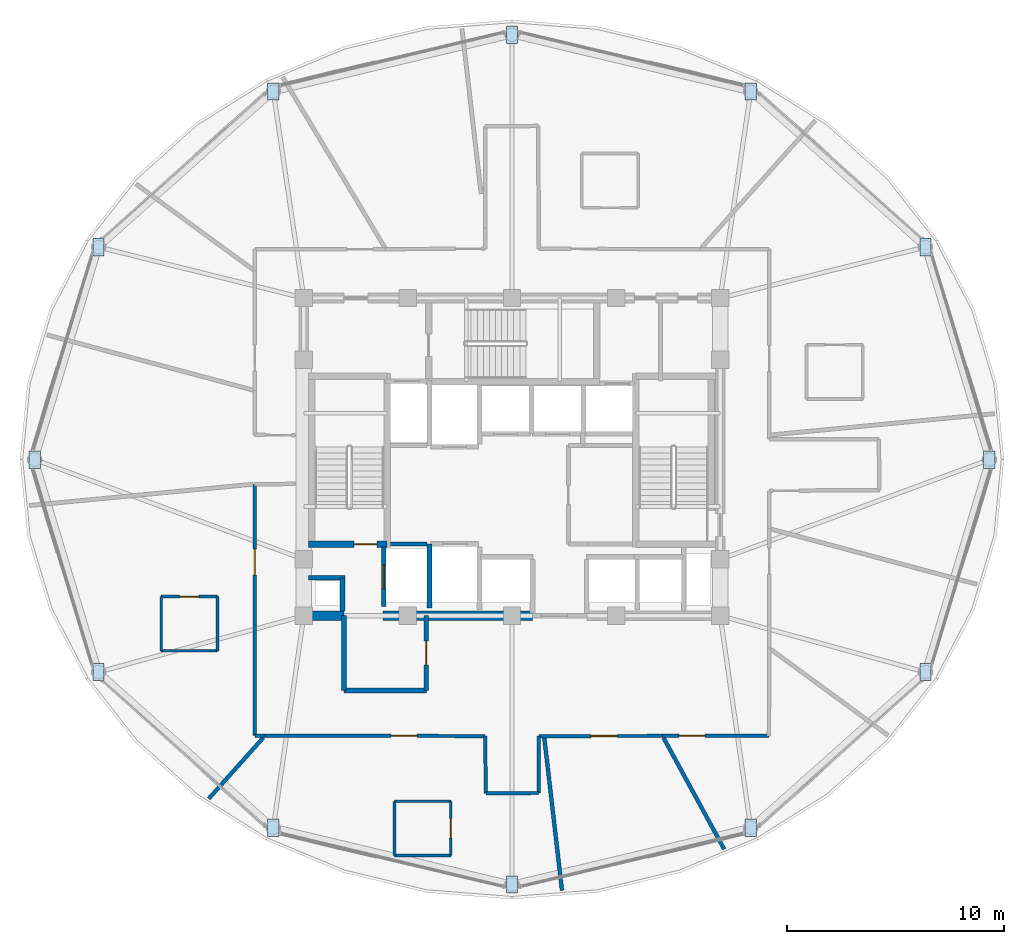
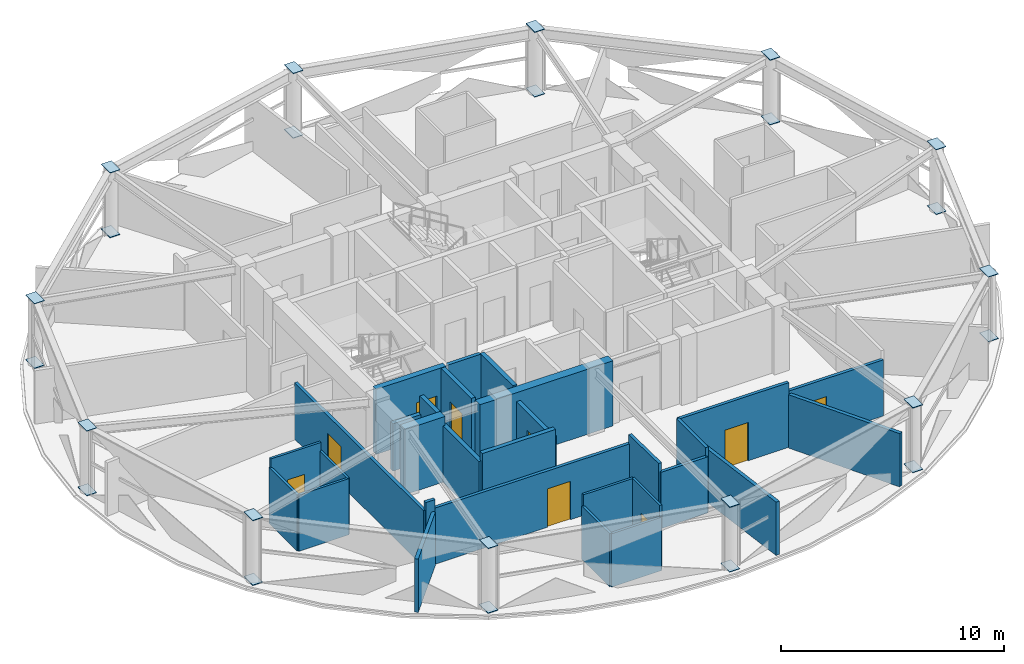
# One storey, part 21 of 28: 30 walls, 24 plates, 9 doors, 9 openings.
"""IFC4 building model written with IfcOpenShell, lengths in metres."""

from ifc_helpers import new_model, si_unit, direction, frame, frame_2d, origin, place, context, subcontext, project, spatial, polyline, rectangle, outline, extrude, material, layer, layer_set, type_object, element, fill, save


model = new_model("IFC4")

# Units and contexts
model_context = context("Model", 3, precision=1e-05, world=origin(), true_north=direction((0.0, 1.0)))
body_context = subcontext(model_context, "Body", "Model", "MODEL_VIEW")
ifc_project = project(units=[si_unit("LENGTHUNIT", "METRE"), si_unit("AREAUNIT", "SQUARE_METRE"), si_unit("VOLUMEUNIT", "CUBIC_METRE"), si_unit("PLANEANGLEUNIT", "RADIAN"), si_unit("MASSUNIT", "GRAM", prefix="KILO")], contexts=[model_context])

# Site, building, storey
site_placement = place(None, origin())
site = spatial("IfcSite", under=ifc_project, at=site_placement, CompositionType="ELEMENT")
building_placement = place(site_placement, origin())
building = spatial("IfcBuilding", under=site, at=building_placement, Name="Vantalir Tower", CompositionType="ELEMENT")
storey_placement = place(building_placement, frame((0.0, 0.0, 223.64990234375)))
storey = spatial("IfcBuildingStorey", under=building, at=storey_placement, Name="L56", CompositionType="ELEMENT", Elevation=223.64990234375)

# Plates
ifc_material_1 = material(Name="Steel S460", Category="steel")
ifc_layer_1 = layer(ifc_material_1, 0.031982421875)
ifc_layer_set_1 = layer_set([ifc_layer_1], Name="Steel S460")
plate_type = type_object("IfcPlateType", Name="PLT-KN-Z3", PredefinedType="USERDEFINED", material=ifc_layer_set_1)
for number, where, z_axis, x_axis, name in (
    (1, (53.2529296875, 25.39990234375, 3.593994140625), (0.0, 0.0, 1.0), (0.0, -1.0, 0.0), "L56 Ring Column Top Cap RC01"),
    (2, (53.2529296875, 25.39990234375, 0.052978515625), (0.0, 0.0, 1.0), (0.0, -1.0, 0.0), "L56 Ring Column Base Cap RC01"),
):
    element("IfcPlate", number, at=place(storey_placement, frame(where, z_axis=z_axis, x_axis=x_axis)), inside=storey, type_object=plate_type, Name=name, ObjectType="FLANGE_PLATE", PredefinedType="USERDEFINED", context=body_context, shape_type="SweptSolid", body=[
        extrude(outline(polyline([(0.0, 0.0), (0.7998046875, 0.0), (0.7998046875, 0.52001953125), (0.0, 0.52001953125), (0.0, 0.0)])), origin(), (0.0, 0.0, -1.0), 0.031982421875),
    ])
for number, where, z_axis, x_axis, name in (
    (3, (50.303955078125, 35.197998046875, 3.593994140625), (0.0, 0.0, 1.0), (0.0, -1.0, 0.0), "L56 Ring Column Top Cap RC02"),
    (4, (50.303955078125, 35.197998046875, 0.052978515625), (0.0, 0.0, 1.0), (0.0, -1.0, 0.0), "L56 Ring Column Base Cap RC02"),
    (5, (42.24609375, 42.37109375, 3.593994140625), (0.0, 0.0, 1.0), (0.0, -1.0, 0.0), "L56 Ring Column Top Cap RC03"),
    (6, (42.24609375, 42.37109375, 0.052978515625), (0.0, 0.0, 1.0), (0.0, -1.0, 0.0), "L56 Ring Column Base Cap RC03"),
    (7, (31.239990234375, 44.99609375, 3.593994140625), (0.0, 0.0, 1.0), (0.0, -1.0, 0.0), "L56 Ring Column Top Cap RC04"),
    (8, (31.239990234375, 44.99609375, 0.052978515625), (0.0, 0.0, 1.0), (0.0, -1.0, 0.0), "L56 Ring Column Base Cap RC04"),
    (9, (20.23388671875, 42.37109375, 3.593994140625), (0.0, 0.0, 1.0), (0.0, -1.0, 0.0), "L56 Ring Column Top Cap RC05"),
    (10, (20.23388671875, 42.37109375, 0.052978515625), (0.0, 0.0, 1.0), (0.0, -1.0, 0.0), "L56 Ring Column Base Cap RC05"),
    (11, (12.176025390625, 35.197998046875, 3.593994140625), (0.0, 0.0, 1.0), (0.0, -1.0, 0.0), "L56 Ring Column Top Cap RC06"),
    (12, (12.176025390625, 35.197998046875, 0.052978515625), (0.0, 0.0, 1.0), (0.0, -1.0, 0.0), "L56 Ring Column Base Cap RC06"),
):
    element("IfcPlate", number, at=place(storey_placement, frame(where, z_axis=z_axis, x_axis=x_axis)), inside=storey, type_object=plate_type, Name=name, ObjectType="FLANGE_PLATE", PredefinedType="USERDEFINED", context=body_context, shape_type="SweptSolid", body=[
        extrude(outline(polyline([(0.0, 0.0), (0.800048828125, 0.0), (0.800048828125, 0.52001953125), (0.0, 0.52001953125), (0.0, 0.0)])), origin(), (0.0, 0.0, -1.0), 0.031982421875),
    ])
for number, where, z_axis, x_axis, name in (
    (13, (9.22705078125, 25.39990234375, 3.593994140625), (0.0, 0.0, 1.0), (0.0, -1.0, 0.0), "L56 Ring Column Top Cap RC07"),
    (14, (9.22705078125, 25.39990234375, 0.052978515625), (0.0, 0.0, 1.0), (0.0, -1.0, 0.0), "L56 Ring Column Base Cap RC07"),
):
    element("IfcPlate", number, at=place(storey_placement, frame(where, z_axis=z_axis, x_axis=x_axis)), inside=storey, type_object=plate_type, Name=name, ObjectType="FLANGE_PLATE", PredefinedType="USERDEFINED", context=body_context, shape_type="SweptSolid", body=[
        extrude(outline(polyline([(0.0, 0.0), (0.7998046875, 0.0), (0.7998046875, 0.52001953125), (0.0, 0.52001953125), (0.0, 0.0)])), origin(), (0.0, 0.0, -1.0), 0.031982421875),
    ])
for number, where, z_axis, x_axis, name in (
    (15, (12.176025390625, 15.60205078125, 3.593994140625), (0.0, 0.0, 1.0), (0.0, -1.0, 0.0), "L56 Ring Column Top Cap RC08"),
    (16, (12.176025390625, 15.60205078125, 0.052978515625), (0.0, 0.0, 1.0), (0.0, -1.0, 0.0), "L56 Ring Column Base Cap RC08"),
    (17, (20.23291015625, 8.428955078125, 3.593994140625), (0.0, 0.0, 1.0), (0.0, -1.0, 0.0), "L56 Ring Column Top Cap RC09"),
    (18, (20.23291015625, 8.428955078125, 0.052978515625), (0.0, 0.0, 1.0), (0.0, -1.0, 0.0), "L56 Ring Column Base Cap RC09"),
    (19, (31.239990234375, 5.803955078125, 3.593994140625), (0.0, 0.0, 1.0), (0.0, -1.0, 0.0), "L56 Ring Column Top Cap RC10"),
    (20, (31.239990234375, 5.803955078125, 0.052978515625), (0.0, 0.0, 1.0), (0.0, -1.0, 0.0), "L56 Ring Column Base Cap RC10"),
    (21, (42.24609375, 8.428955078125, 3.593994140625), (0.0, 0.0, 1.0), (0.0, -1.0, 0.0), "L56 Ring Column Top Cap RC11"),
    (22, (42.24609375, 8.428955078125, 0.052978515625), (0.0, 0.0, 1.0), (0.0, -1.0, 0.0), "L56 Ring Column Base Cap RC11"),
    (23, (50.303955078125, 15.60205078125, 3.593994140625), (0.0, 0.0, 1.0), (0.0, -1.0, 0.0), "L56 Ring Column Top Cap RC12"),
    (24, (50.303955078125, 15.60205078125, 0.052978515625), (0.0, 0.0, 1.0), (0.0, -1.0, 0.0), "L56 Ring Column Base Cap RC12"),
):
    element("IfcPlate", number, at=place(storey_placement, frame(where, z_axis=z_axis, x_axis=x_axis)), inside=storey, type_object=plate_type, Name=name, ObjectType="FLANGE_PLATE", PredefinedType="USERDEFINED", context=body_context, shape_type="SweptSolid", body=[
        extrude(outline(polyline([(0.0, 0.0), (0.800048828125, 0.0), (0.800048828125, 0.52001953125), (0.0, 0.52001953125), (0.0, 0.0)])), origin(), (0.0, 0.0, -1.0), 0.031982421875),
    ])

# Wall
ifc_material_2 = material(Name="Moisture-resistant en-suite partition", Category="gypsum")
ifc_layer_2 = layer(ifc_material_2, 0.125)
ifc_layer_set_2 = layer_set([ifc_layer_2], Name="Moisture-resistant en-suite partition")
wall_type_1 = type_object("IfcWallType", Name="WL-BATH-125", PredefinedType="PARTITIONING", material=ifc_layer_set_2)
wall_1_placement = place(storey_placement, frame((15.322998046875, 16.181884765625, 0.0), z_axis=(0.0, 0.0, 1.0), x_axis=(1.0, 0.0, 0.0)))
element("IfcWall", 25, at=wall_1_placement, inside=storey, type_object=wall_type_1, Name="L56 En-suite 07 South Wall", PredefinedType="PARTITIONING", context=body_context, shape_type="SweptSolid", body=[
    extrude(rectangle(XDim=2.60009765625, YDim=0.125, at=frame_2d((1.300048828125, 0.0))), origin(), (0.0, 0.0, 1.0), 3.0810546875),
])

# Wall, opening, door
wall_2_placement = place(storey_placement, frame((15.322998046875, 18.681884765625, 0.0), z_axis=(0.0, 0.0, 1.0), x_axis=(1.0, 0.0, 0.0)))
wall_2 = element("IfcWall", 26, at=wall_2_placement, inside=storey, type_object=wall_type_1, Name="L56 En-suite 07 North Wall", PredefinedType="PARTITIONING", context=body_context, shape_type="SweptSolid", body=[
    extrude(rectangle(XDim=2.60009765625, YDim=0.125, at=frame_2d((1.300048828125, 0.0))), origin(), (0.0, 0.0, 1.0), 3.550048828125),
])
opening_1_placement = place(wall_2_placement, frame((0.85009765625, 0.0, 0.0)))
opening_1 = element("IfcOpeningElement", 27, at=opening_1_placement, cuts=wall_2, Name="Opening D-WC", PredefinedType="OPENING", context=body_context, shape_type="SweptSolid", body=[
    extrude(rectangle(XDim=0.89990234375, YDim=2.10009765625, at=frame_2d((0.449951171875, 1.050048828125))), frame((0.0, 0.072509765625, 0.0), z_axis=(0.0, -1.0, 0.0), x_axis=(1.0, 0.0, 0.0)), (0.0, 0.0, 1.0), 0.14501953125),
])
ifc_material_3 = material(Name="Moisture-resistant hardwood door", Category="wood")
door_type_1 = type_object("IfcDoorType", Name="DR-ENSUITE-900", OperationType="NOTDEFINED", PredefinedType="DOOR", material=ifc_material_3)
door_1_placement = place(opening_1_placement, frame((0.89990234375, 0.0, 0.0), z_axis=(0.0, 0.0, 1.0), x_axis=(-1.0, 0.0, 0.0)))
door_1 = element("IfcDoor", 28, at=door_1_placement, inside=storey, type_object=door_type_1, Name="L56 En-suite 07 Door", OperationType="SINGLE_SWING_RIGHT", OverallHeight=2.10009765625, OverallWidth=0.89990234375, PredefinedType="DOOR", context=body_context, shape_type="SweptSolid", body=[
    extrude(rectangle(XDim=0.89990234375, YDim=2.10009765625, at=frame_2d((0.449951171875, 1.050048828125))), frame((0.0, 0.02490234375, 0.0), z_axis=(0.0, -1.0, 0.0), x_axis=(1.0, 0.0, 0.0)), (0.0, 0.0, 1.0), 0.050048828125),
])
fill(opening_1, door_1)

# Walls
for number, where, z_axis, x_axis, name in (
    (29, (15.322998046875, 16.181884765625, 0.0), (0.0, 0.0, 1.0), (0.0, 1.0, 0.0), "L56 En-suite 07 West Wall"),
    (30, (17.923095703125, 16.181884765625, 0.0), (0.0, 0.0, 1.0), (0.0, 1.0, 0.0), "L56 En-suite 07 East Wall"),
):
    element("IfcWall", number, at=place(storey_placement, frame(where, z_axis=z_axis, x_axis=x_axis)), inside=storey, type_object=wall_type_1, Name=name, PredefinedType="PARTITIONING", context=body_context, shape_type="SweptSolid", body=[
        extrude(rectangle(XDim=2.5, YDim=0.125, at=frame_2d((1.25, 0.0))), origin(), (0.0, 0.0, 1.0), 3.0810546875),
    ])
wall_3_placement = place(storey_placement, frame((26.077880859375, 6.739990234375, 0.0), z_axis=(0.0, 0.0, 1.0), x_axis=(1.0, 0.0, 0.0)))
element("IfcWall", 31, at=wall_3_placement, inside=storey, type_object=wall_type_1, Name="L56 En-suite 08 South Wall", PredefinedType="PARTITIONING", context=body_context, shape_type="SweptSolid", body=[
    extrude(rectangle(XDim=2.60009765625, YDim=0.125, at=frame_2d((1.300048828125, 0.0))), origin(), (0.0, 0.0, 1.0), 2.925048828125),
])
wall_4_placement = place(storey_placement, frame((26.077880859375, 9.239990234375, 0.0), z_axis=(0.0, 0.0, 1.0), x_axis=(1.0, 0.0, 0.0)))
element("IfcWall", 32, at=wall_4_placement, inside=storey, type_object=wall_type_1, Name="L56 En-suite 08 North Wall", PredefinedType="PARTITIONING", context=body_context, shape_type="SweptSolid", body=[
    extrude(rectangle(XDim=2.60009765625, YDim=0.125, at=frame_2d((1.300048828125, 0.0))), origin(), (0.0, 0.0, 1.0), 3.550048828125),
])
wall_5_placement = place(storey_placement, frame((26.077880859375, 6.739990234375, 0.0), z_axis=(0.0, 0.0, 1.0), x_axis=(0.0, 1.0, 0.0)))
element("IfcWall", 33, at=wall_5_placement, inside=storey, type_object=wall_type_1, Name="L56 En-suite 08 West Wall", PredefinedType="PARTITIONING", context=body_context, shape_type="SweptSolid", body=[
    extrude(rectangle(XDim=2.5, YDim=0.125, at=frame_2d((1.25, 0.0))), origin(), (0.0, 0.0, 1.0), 2.925048828125),
])

# Wall, opening, door
wall_6_placement = place(storey_placement, frame((28.677978515625, 6.739990234375, 0.0), z_axis=(0.0, 0.0, 1.0), x_axis=(0.0, 1.0, 0.0)))
wall_6 = element("IfcWall", 34, at=wall_6_placement, inside=storey, type_object=wall_type_1, Name="L56 En-suite 08 East Wall", PredefinedType="PARTITIONING", context=body_context, shape_type="SweptSolid", body=[
    extrude(rectangle(XDim=2.5, YDim=0.125, at=frame_2d((1.25, 0.0))), origin(), (0.0, 0.0, 1.0), 3.550048828125),
])
opening_2_placement = place(wall_6_placement, frame((0.800048828125, 0.0, 0.0)))
opening_2 = element("IfcOpeningElement", 35, at=opening_2_placement, cuts=wall_6, Name="Opening D-WC", PredefinedType="OPENING", context=body_context, shape_type="SweptSolid", body=[
    extrude(rectangle(XDim=0.89990234375, YDim=2.10009765625, at=frame_2d((0.449951171875, 1.050048828125))), frame((0.0, 0.072509765625, 0.0), z_axis=(0.0, -1.0, 0.0), x_axis=(1.0, 0.0, 0.0)), (0.0, 0.0, 1.0), 0.14501953125),
])
door_2_placement = place(opening_2_placement, origin())
door_2 = element("IfcDoor", 36, at=door_2_placement, inside=storey, type_object=door_type_1, Name="L56 En-suite 08 Door", OperationType="SINGLE_SWING_LEFT", OverallHeight=2.10009765625, OverallWidth=0.89990234375, PredefinedType="DOOR", context=body_context, shape_type="SweptSolid", body=[
    extrude(rectangle(XDim=0.89990234375, YDim=2.10009765625, at=frame_2d((0.449951171875, 1.050048828125))), frame((0.0, 0.02490234375, 0.0), z_axis=(0.0, -1.0, 0.0), x_axis=(1.0, 0.0, 0.0)), (0.0, 0.0, 1.0), 0.050048828125),
])
fill(opening_2, door_2)

# Walls
ifc_material_4 = material(Name="Concrete C50/60", Category="concrete")
ifc_layer_3 = layer(ifc_material_4, 0.449951171875)
ifc_layer_set_3 = layer_set([ifc_layer_3], Name="Concrete C50/60")
wall_type_2 = type_object("IfcWallType", Name="WL-CORE-450", PredefinedType="SHEAR", material=ifc_layer_set_3)
wall_7_placement = place(storey_placement, frame((21.675048828125, 17.800048828125, 0.0), z_axis=(0.0, 0.0, 1.0), x_axis=(1.0, 0.0, 0.0)))
element("IfcWall", 37, at=wall_7_placement, inside=storey, type_object=wall_type_2, Name="L56 Core Shear Wall South-West", PredefinedType="SHEAR", context=body_context, shape_type="SweptSolid", body=[
    extrude(rectangle(XDim=2.074951171875, YDim=0.449951171875, at=frame_2d((1.03759765625, 0.0))), origin(), (0.0, 0.0, 1.0), 3.570068359375),
])
wall_8_placement = place(storey_placement, frame((25.550048828125, 17.800048828125, 0.0), z_axis=(0.0, 0.0, 1.0), x_axis=(1.0, 0.0, 0.0)))
element("IfcWall", 38, at=wall_8_placement, inside=storey, type_object=wall_type_2, Name="L56 Core Shear Wall South-Mid", PredefinedType="SHEAR", context=body_context, shape_type="SweptSolid", body=[
    extrude(rectangle(XDim=6.89990234375, YDim=0.449951171875, at=frame_2d((3.449951171875, 0.0))), origin(), (0.0, 0.0, 1.0), 3.570068359375),
])

# Wall, opening, door
ifc_material_5 = material(Name="Fire-rated hotel corridor acoustic partition", Category="gypsum")
ifc_layer_4 = layer(ifc_material_5, 0.159912109375)
ifc_layer_set_4 = layer_set([ifc_layer_4], Name="Fire-rated hotel corridor acoustic partition")
wall_type_3 = type_object("IfcWallType", Name="WL-CORR-160", PredefinedType="PARTITIONING", material=ifc_layer_set_4)
wall_9_placement = place(storey_placement, frame((43.35009765625, 12.259033203125, 0.0), z_axis=(0.0, 0.0, 1.0), x_axis=(-0.99999964262, -0.000845434351, 0.0)))
wall_9 = element("IfcWall", 39, at=wall_9_placement, inside=storey, type_object=wall_type_3, Name="L56 Corridor Partition 20", PredefinedType="PARTITIONING", context=body_context, shape_type="SweptSolid", body=[
    extrude(rectangle(XDim=4.9091796875, YDim=0.159912109375, at=frame_2d((2.45458984375, 0.0))), origin(), (0.0, 0.0, 1.0), 3.0810546875),
])
opening_3_placement = place(wall_9_placement, frame((2.9599609375, 0.0, 0.0)))
opening_3 = element("IfcOpeningElement", 40, at=opening_3_placement, cuts=wall_9, Name="Opening D-STE", PredefinedType="OPENING", context=body_context, shape_type="SweptSolid", body=[
    extrude(rectangle(XDim=1.199951171875, YDim=2.10009765625, at=frame_2d((0.60009765625, 1.050048828125))), frame((0.0, 0.08984375, 0.0), z_axis=(0.0, -1.0, 0.0), x_axis=(1.0, 0.0, 0.0)), (0.0, 0.0, 1.0), 0.179931640625),
])
ifc_material_6 = material(Name="Solid-core teak veneer suite entrance door", Category="wood")
door_type_2 = type_object("IfcDoorType", Name="DR-SUITE-ENTRY-1200", OperationType="NOTDEFINED", PredefinedType="DOOR", material=ifc_material_6)
door_3_placement = place(opening_3_placement, origin())
door_3 = element("IfcDoor", 41, at=door_3_placement, inside=storey, type_object=door_type_2, Name="L56 Club Reading Lounge 10 Door", OperationType="SINGLE_SWING_RIGHT", OverallHeight=2.10009765625, OverallWidth=1.199951171875, PredefinedType="DOOR", context=body_context, shape_type="SweptSolid", body=[
    extrude(rectangle(XDim=1.199951171875, YDim=2.10009765625, at=frame_2d((0.60009765625, 1.050048828125))), frame((0.0, 0.02490234375, 0.0), z_axis=(0.0, -1.0, 0.0), x_axis=(1.0, 0.0, 0.0)), (0.0, 0.0, 1.0), 0.050048828125),
])
fill(opening_3, door_3)

wall_10_placement = place(storey_placement, frame((38.44091796875, 12.2548828125, 0.0), z_axis=(0.0, 0.0, 1.0), x_axis=(-0.999999633209, -0.000856494054, 0.0)))
wall_10 = element("IfcWall", 42, at=wall_10_placement, inside=storey, type_object=wall_type_3, Name="L56 Corridor Partition 21", PredefinedType="PARTITIONING", context=body_context, shape_type="SweptSolid", body=[
    extrude(rectangle(XDim=5.700927734375, YDim=0.159912109375, at=frame_2d((2.8505859375, 0.0))), origin(), (0.0, 0.0, 1.0), 3.550048828125),
])
opening_4_placement = place(wall_10_placement, frame((2.10107421875, 0.0, 0.0)))
opening_4 = element("IfcOpeningElement", 43, at=opening_4_placement, cuts=wall_10, Name="Opening D-STE", PredefinedType="OPENING", context=body_context, shape_type="SweptSolid", body=[
    extrude(rectangle(XDim=1.199951171875, YDim=2.10009765625, at=frame_2d((0.60009765625, 1.050048828125))), frame((0.0, 0.08984375, 0.0), z_axis=(0.0, -1.0, 0.0), x_axis=(1.0, 0.0, 0.0)), (0.0, 0.0, 1.0), 0.179931640625),
])
door_4_placement = place(opening_4_placement, origin())
door_4 = element("IfcDoor", 44, at=door_4_placement, inside=storey, type_object=door_type_2, Name="L56 Club Reading Lounge 09 Door", OperationType="SINGLE_SWING_LEFT", OverallHeight=2.10009765625, OverallWidth=1.199951171875, PredefinedType="DOOR", context=body_context, shape_type="SweptSolid", body=[
    extrude(rectangle(XDim=1.199951171875, YDim=2.10009765625, at=frame_2d((0.60009765625, 1.050048828125))), frame((0.0, 0.02490234375, 0.0), z_axis=(0.0, -1.0, 0.0), x_axis=(1.0, 0.0, 0.0)), (0.0, 0.0, 1.0), 0.050048828125),
])
fill(opening_4, door_4)

# Walls
wall_11_placement = place(storey_placement, frame((32.739990234375, 12.25, 0.0), z_axis=(0.0, 0.0, 1.0), x_axis=(-0.004558940342, -0.999989607977, 0.0)))
element("IfcWall", 45, at=wall_11_placement, inside=storey, type_object=wall_type_3, Name="L56 Corridor Partition 22", PredefinedType="PARTITIONING", context=body_context, shape_type="SweptSolid", body=[
    extrude(rectangle(XDim=2.6240234375, YDim=0.159912109375, at=frame_2d((1.31201171875, 0.0))), origin(), (0.0, 0.0, 1.0), 3.550048828125),
])
wall_12_placement = place(storey_placement, frame((32.72802734375, 9.6259765625, 0.0), z_axis=(0.0, 0.0, 1.0), x_axis=(-0.999987903459, -0.004918631527, 0.0)))
element("IfcWall", 46, at=wall_12_placement, inside=storey, type_object=wall_type_3, Name="L56 Corridor Partition 23", PredefinedType="PARTITIONING", context=body_context, shape_type="SweptSolid", body=[
    extrude(rectangle(XDim=2.43212890625, YDim=0.159912109375, at=frame_2d((1.216064453125, 0.0))), origin(), (0.0, 0.0, 1.0), 3.0810546875),
])
wall_13_placement = place(storey_placement, frame((30.2958984375, 9.614013671875, 0.0), z_axis=(0.0, 0.0, 1.0), x_axis=(-0.013613631337, 0.999907330227, 0.0)))
element("IfcWall", 47, at=wall_13_placement, inside=storey, type_object=wall_type_3, Name="L56 Corridor Partition 24", PredefinedType="PARTITIONING", context=body_context, shape_type="SweptSolid", body=[
    extrude(rectangle(XDim=2.63623046875, YDim=0.159912109375, at=frame_2d((1.318115234375, 0.0))), origin(), (0.0, 0.0, 1.0), 3.550048828125),
])

# Wall, opening, door
wall_14_placement = place(storey_placement, frame((30.260009765625, 12.25, 0.0), z_axis=(0.0, 0.0, 1.0), x_axis=(-0.999998052604, 0.001973522029, 0.0)))
wall_14 = element("IfcWall", 48, at=wall_14_placement, inside=storey, type_object=wall_type_3, Name="L56 Corridor Partition 25", PredefinedType="PARTITIONING", context=body_context, shape_type="SweptSolid", body=[
    extrude(rectangle(XDim=10.14404296875, YDim=0.159912109375, at=frame_2d((5.072021484375, 0.0))), origin(), (0.0, 0.0, 1.0), 3.0810546875),
])
opening_5_placement = place(wall_14_placement, frame((3.134033203125, 0.0, 0.0)))
opening_5 = element("IfcOpeningElement", 49, at=opening_5_placement, cuts=wall_14, Name="Opening D-STE", PredefinedType="OPENING", context=body_context, shape_type="SweptSolid", body=[
    extrude(rectangle(XDim=1.199951171875, YDim=2.10009765625, at=frame_2d((0.60009765625, 1.050048828125))), frame((0.0, 0.08984375, 0.0), z_axis=(0.0, -1.0, 0.0), x_axis=(1.0, 0.0, 0.0)), (0.0, 0.0, 1.0), 0.179931640625),
])
door_5_placement = place(opening_5_placement, origin())
door_5 = element("IfcDoor", 50, at=door_5_placement, inside=storey, type_object=door_type_2, Name="L56 Executive Club Hotel Suite 08 Door", OperationType="SINGLE_SWING_RIGHT", OverallHeight=2.10009765625, OverallWidth=1.199951171875, PredefinedType="DOOR", context=body_context, shape_type="SweptSolid", body=[
    extrude(rectangle(XDim=1.199951171875, YDim=2.10009765625, at=frame_2d((0.60009765625, 1.050048828125))), frame((0.0, 0.02490234375, 0.0), z_axis=(0.0, -1.0, 0.0), x_axis=(1.0, 0.0, 0.0)), (0.0, 0.0, 1.0), 0.050048828125),
])
fill(opening_5, door_5)

# Wall
wall_15_placement = place(storey_placement, frame((20.115966796875, 12.27001953125, 0.0), z_axis=(0.0, 0.0, 1.0), x_axis=(-0.999997896128, 0.002051277736, 0.0)))
element("IfcWall", 51, at=wall_15_placement, inside=storey, type_object=wall_type_3, Name="L56 Corridor Partition 26", PredefinedType="PARTITIONING", context=body_context, shape_type="SweptSolid", body=[
    extrude(rectangle(XDim=0.47607421875, YDim=0.159912109375, at=frame_2d((0.238037109375, 0.0))), origin(), (0.0, 0.0, 1.0), 3.550048828125),
])

# Wall, opening, door
wall_16_placement = place(storey_placement, frame((19.639892578125, 12.27099609375, 0.0), z_axis=(0.0, 0.0, 1.0), x_axis=(-0.000421549579, 0.999999911148, 0.0)))
wall_16 = element("IfcWall", 52, at=wall_16_placement, inside=storey, type_object=wall_type_3, Name="L56 Corridor Partition 27", PredefinedType="PARTITIONING", context=body_context, shape_type="SweptSolid", body=[
    extrude(rectangle(XDim=11.5830078125, YDim=0.159912109375, at=frame_2d((5.79150390625, 0.0))), origin(), (0.0, 0.0, 1.0), 3.0810546875),
])
opening_6_placement = place(wall_16_placement, frame((7.410888671875, 0.0, 0.0)))
opening_6 = element("IfcOpeningElement", 53, at=opening_6_placement, cuts=wall_16, Name="Opening D-STE", PredefinedType="OPENING", context=body_context, shape_type="SweptSolid", body=[
    extrude(rectangle(XDim=1.199951171875, YDim=2.10009765625, at=frame_2d((0.60009765625, 1.050048828125))), frame((0.0, 0.08984375, 0.0), z_axis=(0.0, -1.0, 0.0), x_axis=(1.0, 0.0, 0.0)), (0.0, 0.0, 1.0), 0.179931640625),
])
door_6_placement = place(opening_6_placement, origin())
door_6 = element("IfcDoor", 54, at=door_6_placement, inside=storey, type_object=door_type_2, Name="L56 Corner Panorama Hotel Suite 07 Door", OperationType="SINGLE_SWING_LEFT", OverallHeight=2.10009765625, OverallWidth=1.199951171875, PredefinedType="DOOR", context=body_context, shape_type="SweptSolid", body=[
    extrude(rectangle(XDim=1.199951171875, YDim=2.10009765625, at=frame_2d((0.60009765625, 1.050048828125))), frame((0.0, 0.02490234375, 0.0), z_axis=(0.0, -1.0, 0.0), x_axis=(1.0, 0.0, 0.0)), (0.0, 0.0, 1.0), 0.050048828125),
])
fill(opening_6, door_6)

# Walls
ifc_material_7 = material(Name="Concrete blockwork with fireboard lining", Category="masonry")
ifc_layer_5 = layer(ifc_material_7, 0.219970703125)
ifc_layer_set_5 = layer_set([ifc_layer_5], Name="Concrete blockwork with fireboard lining")
wall_type_4 = type_object("IfcWallType", Name="WL-FFL-220", PredefinedType="PARTITIONING", material=ifc_layer_set_5)
wall_17_placement = place(storey_placement, frame((23.679931640625, 18.02490234375, 0.0), z_axis=(0.0, 0.0, 1.0), x_axis=(0.0, 1.0, 0.0)))
element("IfcWall", 55, at=wall_17_placement, inside=storey, type_object=wall_type_4, Name="L56 West MEP Riser Wall E", PredefinedType="PARTITIONING", context=body_context, shape_type="SweptSolid", body=[
    extrude(rectangle(XDim=1.525146484375, YDim=0.219970703125, at=frame_2d((0.7626953125, 0.0))), origin(), (0.0, 0.0, 1.0), 3.550048828125),
])
wall_18_placement = place(storey_placement, frame((22.125, 19.550048828125, 0.0), z_axis=(0.0, 0.0, 1.0), x_axis=(1.0, 0.0, 0.0)))
element("IfcWall", 56, at=wall_18_placement, inside=storey, type_object=wall_type_4, Name="L56 West MEP Riser Wall N", PredefinedType="PARTITIONING", context=body_context, shape_type="SweptSolid", body=[
    extrude(rectangle(XDim=1.6650390625, YDim=0.219970703125, at=frame_2d((0.83251953125, 0.0))), origin(), (0.0, 0.0, 1.0), 2.59521484375),
])

# Wall, opening, door
wall_19_placement = place(storey_placement, frame((25.590087890625, 18.219970703125, 0.0), z_axis=(0.0, 0.0, 1.0), x_axis=(0.0, 1.0, 0.0)))
wall_19 = element("IfcWall", 57, at=wall_19_placement, inside=storey, type_object=wall_type_4, Name="L56 Lift FL1 Shaft Front Wall", PredefinedType="PARTITIONING", context=body_context, shape_type="SweptSolid", body=[
    extrude(rectangle(XDim=2.760009765625, YDim=0.219970703125, at=frame_2d((1.3798828125, 0.0))), origin(), (0.0, 0.0, 1.0), 3.550048828125),
])
opening_7_placement = place(wall_19_placement, frame((0.830078125, 0.0, 0.0)))
opening_7 = element("IfcOpeningElement", 58, at=opening_7_placement, cuts=wall_19, Name="Opening LD-FL1", PredefinedType="OPENING", context=body_context, shape_type="SweptSolid", body=[
    extrude(rectangle(XDim=1.10009765625, YDim=2.199951171875, at=frame_2d((0.550048828125, 1.10009765625))), frame((0.0, 0.119873046875, 0.0), z_axis=(0.0, -1.0, 0.0), x_axis=(1.0, 0.0, 0.0)), (0.0, 0.0, 1.0), 0.239990234375),
])
ifc_material_8 = material(Name="Brushed stainless-steel sliding lift landing door", Category="steel")
door_type_3 = type_object("IfcDoorType", Name="DR-LIFT-LANDING-1100", OperationType="DOUBLE_DOOR_SLIDING", PredefinedType="DOOR", material=ifc_material_8)
door_7_placement = place(opening_7_placement, origin())
door_7 = element("IfcDoor", 59, at=door_7_placement, inside=storey, type_object=door_type_3, Name="L56 Lift Landing Door FL1", OperationType="DOUBLE_DOOR_SLIDING", OverallHeight=2.199951171875, OverallWidth=1.10009765625, PredefinedType="DOOR", context=body_context, shape_type="SweptSolid", body=[
    extrude(rectangle(XDim=1.10009765625, YDim=2.199951171875, at=frame_2d((0.550048828125, 1.10009765625))), frame((0.0, 0.02490234375, 0.0), z_axis=(0.0, -1.0, 0.0), x_axis=(1.0, 0.0, 0.0)), (0.0, 0.0, 1.0), 0.050048828125),
])
fill(opening_7, door_7)

# Walls
wall_20_placement = place(storey_placement, frame((27.699951171875, 18.14990234375, 0.0), z_axis=(0.0, 0.0, 1.0), x_axis=(0.0, 1.0, 0.0)))
element("IfcWall", 60, at=wall_20_placement, inside=storey, type_object=wall_type_4, Name="L56 Fire Lift FL1 Dividing Wall", PredefinedType="PARTITIONING", context=body_context, shape_type="SweptSolid", body=[
    extrude(rectangle(XDim=2.9501953125, YDim=0.219970703125, at=frame_2d((1.47509765625, 0.0))), origin(), (0.0, 0.0, 1.0), 3.550048828125),
])
wall_21_placement = place(storey_placement, frame((23.75, 14.35009765625, 0.0), z_axis=(0.0, 0.0, 1.0), x_axis=(0.0, 1.0, 0.0)))
element("IfcWall", 61, at=wall_21_placement, inside=storey, type_object=wall_type_4, Name="L56 Firefighting Lobby West Outer W", PredefinedType="PARTITIONING", context=body_context, shape_type="SweptSolid", body=[
    extrude(rectangle(XDim=3.449951171875, YDim=0.219970703125, at=frame_2d((1.72509765625, 0.0))), origin(), (0.0, 0.0, 1.0), 3.0810546875),
])
wall_22_placement = place(storey_placement, frame((23.75, 14.35009765625, 0.0), z_axis=(0.0, 0.0, 1.0), x_axis=(1.0, 0.0, 0.0)))
element("IfcWall", 62, at=wall_22_placement, inside=storey, type_object=wall_type_4, Name="L56 Firefighting Lobby West South Wall", PredefinedType="PARTITIONING", context=body_context, shape_type="SweptSolid", body=[
    extrude(rectangle(XDim=3.800048828125, YDim=0.219970703125, at=frame_2d((1.89990234375, 0.0))), origin(), (0.0, 0.0, 1.0), 3.550048828125),
])

# Wall, opening, door
wall_23_placement = place(storey_placement, frame((27.550048828125, 14.35009765625, 0.0), z_axis=(0.0, 0.0, 1.0), x_axis=(0.0, 1.0, 0.0)))
wall_23 = element("IfcWall", 63, at=wall_23_placement, inside=storey, type_object=wall_type_4, Name="L56 Firefighting Lobby West East Wall", PredefinedType="PARTITIONING", context=body_context, shape_type="SweptSolid", body=[
    extrude(rectangle(XDim=3.449951171875, YDim=0.219970703125, at=frame_2d((1.72509765625, 0.0))), origin(), (0.0, 0.0, 1.0), 3.0810546875),
])
opening_8_placement = place(wall_23_placement, frame((1.175048828125, 0.0, 0.0)))
opening_8 = element("IfcOpeningElement", 64, at=opening_8_placement, cuts=wall_23, Name="Opening D-FFL", PredefinedType="OPENING", context=body_context, shape_type="SweptSolid", body=[
    extrude(rectangle(XDim=1.10009765625, YDim=2.10009765625, at=frame_2d((0.550048828125, 1.050048828125))), frame((0.0, 0.119873046875, 0.0), z_axis=(0.0, -1.0, 0.0), x_axis=(1.0, 0.0, 0.0)), (0.0, 0.0, 1.0), 0.239990234375),
])
ifc_material_9 = material(Name="Fire-rated acoustic steel door", Category="steel")
door_type_4 = type_object("IfcDoorType", Name="DR-FIRE-LOBBY-1100", OperationType="NOTDEFINED", PredefinedType="DOOR", material=ifc_material_9)
door_8_placement = place(opening_8_placement, origin())
door_8 = element("IfcDoor", 65, at=door_8_placement, inside=storey, type_object=door_type_4, Name="L56 Firefighting Lobby West Access Door", OperationType="SINGLE_SWING_LEFT", OverallHeight=2.10009765625, OverallWidth=1.10009765625, PredefinedType="DOOR", context=body_context, shape_type="SweptSolid", body=[
    extrude(rectangle(XDim=1.10009765625, YDim=2.10009765625, at=frame_2d((0.550048828125, 1.050048828125))), frame((0.0, 0.02490234375, 0.0), z_axis=(0.0, -1.0, 0.0), x_axis=(1.0, 0.0, 0.0)), (0.0, 0.0, 1.0), 0.050048828125),
])
fill(opening_8, door_8)

# Walls
ifc_material_10 = material(Name="Twin-stud acoustic fire-rated gypsum partition", Category="gypsum")
ifc_layer_6 = layer(ifc_material_10, 0.179931640625)
ifc_layer_set_6 = layer_set([ifc_layer_6], Name="Twin-stud acoustic fire-rated gypsum partition")
wall_type_5 = type_object("IfcWallType", Name="WL-GUEST-180", PredefinedType="PARTITIONING", material=ifc_layer_set_6)
wall_24_placement = place(storey_placement, frame((25.889892578125, 21.10009765625, 0.0), z_axis=(0.0, 0.0, 1.0), x_axis=(1.0, 0.0, 0.0)))
element("IfcWall", 66, at=wall_24_placement, inside=storey, type_object=wall_type_5, Name="L56 Freed West Core South Wall", PredefinedType="PARTITIONING", context=body_context, shape_type="SweptSolid", body=[
    extrude(rectangle(XDim=1.7001953125, YDim=0.179931640625, at=frame_2d((0.85009765625, 0.0))), origin(), (0.0, 0.0, 1.0), 3.550048828125),
])
wall_25_placement = place(storey_placement, frame((20.030029296875, 12.175048828125, 0.0), z_axis=(0.0, 0.0, 1.0), x_axis=(-0.666681397774, -0.745342816335, 0.0)))
element("IfcWall", 67, at=wall_25_placement, inside=storey, type_object=wall_type_5, Name="L56 Radial Suite Partition 08", PredefinedType="PARTITIONING", context=body_context, shape_type="SweptSolid", body=[
    extrude(rectangle(XDim=3.774169921875, YDim=0.179931640625, at=frame_2d((1.88720703125, 0.0))), origin(), (0.0, 0.0, 1.0), 2.925048828125),
])
wall_26_placement = place(storey_placement, frame((32.989013671875, 12.175048828125, 0.0), z_axis=(0.0, 0.0, 1.0), x_axis=(0.115246372969, -0.993336938565, 0.0)))
element("IfcWall", 68, at=wall_26_placement, inside=storey, type_object=wall_type_5, Name="L56 Radial Suite Partition 09", PredefinedType="PARTITIONING", context=body_context, shape_type="SweptSolid", body=[
    extrude(rectangle(XDim=7.088134765625, YDim=0.179931640625, at=frame_2d((3.5439453125, 0.0))), origin(), (0.0, 0.0, 1.0), 2.925048828125),
])
wall_27_placement = place(storey_placement, frame((38.485107421875, 12.175048828125, 0.0), z_axis=(0.0, 0.0, 1.0), x_axis=(0.478238008714, -0.87823026993, 0.0)))
element("IfcWall", 69, at=wall_27_placement, inside=storey, type_object=wall_type_5, Name="L56 Radial Suite Partition 10", PredefinedType="PARTITIONING", context=body_context, shape_type="SweptSolid", body=[
    extrude(rectangle(XDim=5.850341796875, YDim=0.179931640625, at=frame_2d((2.92529296875, 0.0))), origin(), (0.0, 0.0, 1.0), 2.925048828125),
])

# Wall, opening, door
ifc_layer_7 = layer(ifc_material_4, 0.300048828125)
ifc_layer_set_7 = layer_set([ifc_layer_7], Name="Concrete C50/60")
wall_type_6 = type_object("IfcWallType", Name="WL-STAIR-300", PredefinedType="SHEAR", material=ifc_layer_set_7)
wall_28_placement = place(storey_placement, frame((22.125, 21.10009765625, 0.0), z_axis=(0.0, 0.0, 1.0), x_axis=(1.0, 0.0, 0.0)))
wall_28 = element("IfcWall", 70, at=wall_28_placement, inside=storey, type_object=wall_type_6, Name="L56 Stair ST1 South Wall", PredefinedType="SHEAR", context=body_context, shape_type="SweptSolid", body=[
    extrude(rectangle(XDim=3.614990234375, YDim=0.300048828125, at=frame_2d((1.8076171875, 0.0))), origin(), (0.0, 0.0, 1.0), 3.570068359375),
])
opening_9_placement = place(wall_28_placement, frame((2.094970703125, 0.0, 0.0)))
opening_9 = element("IfcOpeningElement", 71, at=opening_9_placement, cuts=wall_28, Name="Opening D-ST", PredefinedType="OPENING", context=body_context, shape_type="SweptSolid", body=[
    extrude(rectangle(XDim=1.050048828125, YDim=2.10009765625, at=frame_2d((0.52490234375, 1.050048828125))), frame((0.0, 0.159912109375, 0.0), z_axis=(0.0, -1.0, 0.0), x_axis=(1.0, 0.0, 0.0)), (0.0, 0.0, 1.0), 0.320068359375),
])
ifc_material_11 = material(Name="Fire-rated steel door leaf", Category="steel")
door_type_5 = type_object("IfcDoorType", Name="DR-FIRE-STAIR-1050", OperationType="NOTDEFINED", PredefinedType="DOOR", material=ifc_material_11)
door_9_placement = place(opening_9_placement, origin())
door_9 = element("IfcDoor", 72, at=door_9_placement, inside=storey, type_object=door_type_5, Name="L56 Exit Stair ST1 Fire Door", OperationType="SINGLE_SWING_LEFT", OverallHeight=2.10009765625, OverallWidth=1.050048828125, PredefinedType="DOOR", context=body_context, shape_type="SweptSolid", body=[
    extrude(rectangle(XDim=1.050048828125, YDim=2.10009765625, at=frame_2d((0.52490234375, 1.050048828125))), frame((0.0, 0.02490234375, 0.0), z_axis=(0.0, -1.0, 0.0), x_axis=(1.0, 0.0, 0.0)), (0.0, 0.0, 1.0), 0.050048828125),
])
fill(opening_9, door_9)

save(model, "model.ifc")
